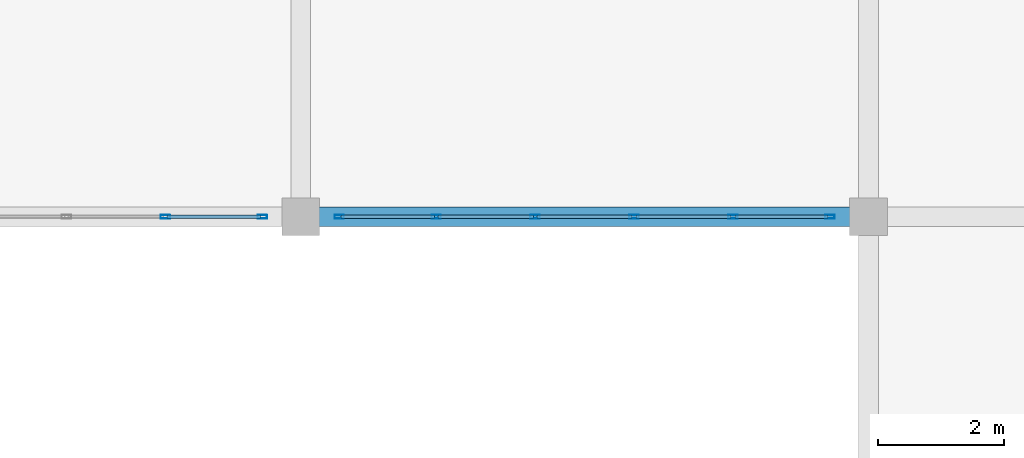
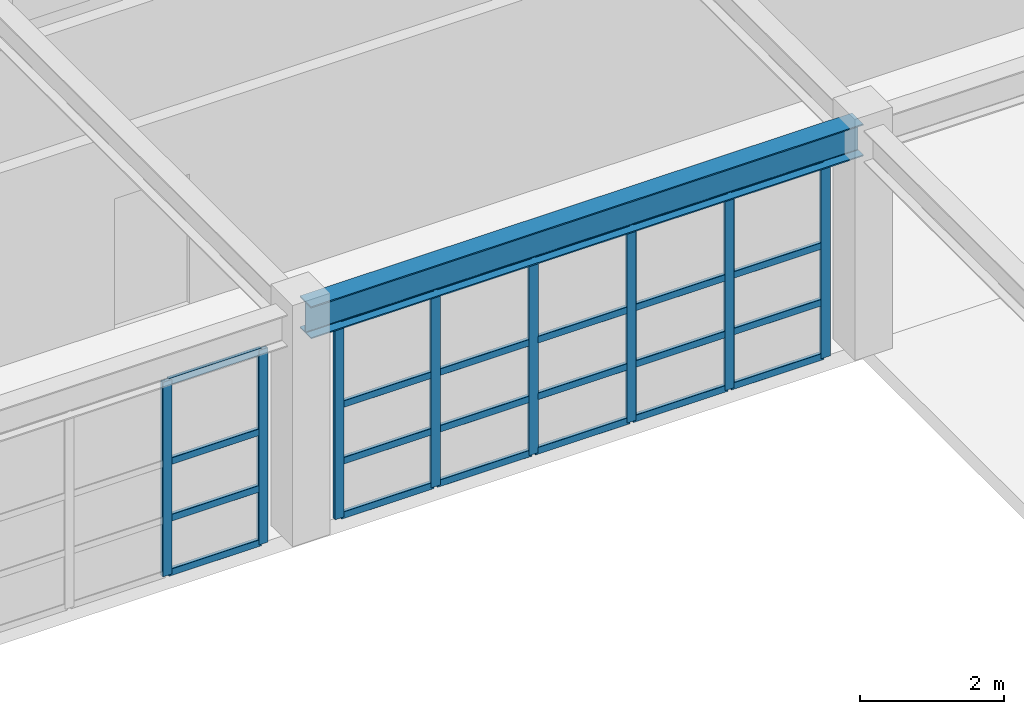
# One storey, part 78 of 130: 32 members, 1 beam, 2 elements without a shape of their own.
"""IFC4 building model written with IfcOpenShell, lengths in metres."""

from ifc_helpers import new_model, si_unit, direction, frame, origin, origin_2d, place, context, subcontext, project, spatial, hollow_rectangle, i_section, extrude, material, material_profile, profile_set, type_object, element, aggregate, save


model = new_model("IFC4")

# Units and contexts
model_context = context("Model", 3, precision=1e-05, world=origin(), true_north=direction((0.0, 1.0)))
body_context = subcontext(model_context, "Body", "Model", "MODEL_VIEW")
ifc_project = project(units=[si_unit("LENGTHUNIT", "METRE"), si_unit("AREAUNIT", "SQUARE_METRE"), si_unit("VOLUMEUNIT", "CUBIC_METRE"), si_unit("PLANEANGLEUNIT", "RADIAN"), si_unit("MASSUNIT", "GRAM", prefix="KILO")], contexts=[model_context])

# Site, building, storey
site_placement = place(None, origin())
site = spatial("IfcSite", under=ifc_project, at=site_placement, CompositionType="ELEMENT")
building_placement = place(site_placement, origin())
building = spatial("IfcBuilding", under=site, at=building_placement, Name="Miravela Opera House", CompositionType="ELEMENT")
storey_placement = place(building_placement, frame((0.0, 0.0, 9.52001953125)))
storey = spatial("IfcBuildingStorey", under=building, at=storey_placement, Name="L02", CompositionType="ELEMENT", Elevation=9.52001953125)

# Curtain wall, members
ifc_material_1 = material(Name="Anodised architectural bronze aluminium 6063-T6", Category="aluminium")
curtain_wall_type = type_object("IfcCurtainWallType", Name="ARC-CW-06", PredefinedType="NOTDEFINED", material=ifc_material_1)
curtain_wall_1_placement = place(storey_placement, origin())
curtain_wall_1 = element("IfcCurtainWall", 1, at=curtain_wall_1_placement, inside=storey, type_object=curtain_wall_type, Name="Courtyard Arcade Curtain Wall CW-L02-186", PredefinedType="NOTDEFINED")
ifc_material_profile_1 = material_profile(ifc_material_1, hollow_rectangle(XDim=0.06005859375, YDim=0.14990234375, WallThickness=0.00390625, InnerFilletRadius=0.001953125, OuterFilletRadius=0.00390625, at=origin_2d()), Name="CWM-60X150")
ifc_profile_set_1 = profile_set([ifc_material_profile_1])
member_type_1 = type_object("IfcMemberType", Name="ARC-CWM-150", PredefinedType="MULLION", material=ifc_profile_set_1)
member_1_placement = place(storey_placement, frame((132.85205078125, 28.0, 0.0), z_axis=(0.0, 0.0, 1.0), x_axis=(0.0, 1.0, 0.0)))
member_1 = element("IfcMember", 2, at=member_1_placement, type_object=member_type_1, Name="CW-06 mullion 5", PredefinedType="MULLION", context=body_context, shape_type="SweptSolid", body=[
    extrude(hollow_rectangle(XDim=0.06005859375, YDim=0.14990234375, WallThickness=0.00390625, InnerFilletRadius=0.001953125, OuterFilletRadius=0.00390625, at=origin_2d()), origin(), (0.0, 0.0, 1.0), 3.2900390625),
])
member_2_placement = place(storey_placement, frame((134.389892578125, 28.0, 0.0), z_axis=(0.0, 0.0, 1.0), x_axis=(0.0, 1.0, 0.0)))
member_2 = element("IfcMember", 3, at=member_2_placement, type_object=member_type_1, Name="CW-06 mullion 6", PredefinedType="MULLION", context=body_context, shape_type="SweptSolid", body=[
    extrude(hollow_rectangle(XDim=0.06005859375, YDim=0.14990234375, WallThickness=0.00390625, InnerFilletRadius=0.001953125, OuterFilletRadius=0.00390625, at=origin_2d()), origin(), (0.0, 0.0, 1.0), 3.2900390625),
])

curtain_wall_2_placement = place(storey_placement, origin())
curtain_wall_2 = element("IfcCurtainWall", 4, at=curtain_wall_2_placement, inside=storey, type_object=curtain_wall_type, Name="Courtyard Arcade Curtain Wall CW-L02-190", PredefinedType="NOTDEFINED")
member_3_placement = place(storey_placement, frame((135.610107421875, 28.0, 0.0), z_axis=(0.0, 0.0, 1.0), x_axis=(0.0, 1.0, 0.0)))
member_3 = element("IfcMember", 5, at=member_3_placement, type_object=member_type_1, Name="CW-06 mullion 1", PredefinedType="MULLION", context=body_context, shape_type="SweptSolid", body=[
    extrude(hollow_rectangle(XDim=0.06005859375, YDim=0.14990234375, WallThickness=0.00390625, InnerFilletRadius=0.001953125, OuterFilletRadius=0.00390625, at=origin_2d()), origin(), (0.0, 0.0, 1.0), 3.2900390625),
])
member_4_placement = place(storey_placement, frame((137.14794921875, 28.0, 0.0), z_axis=(0.0, 0.0, 1.0), x_axis=(0.0, 1.0, 0.0)))
member_4 = element("IfcMember", 6, at=member_4_placement, type_object=member_type_1, Name="CW-06 mullion 2", PredefinedType="MULLION", context=body_context, shape_type="SweptSolid", body=[
    extrude(hollow_rectangle(XDim=0.06005859375, YDim=0.14990234375, WallThickness=0.00390625, InnerFilletRadius=0.001953125, OuterFilletRadius=0.00390625, at=origin_2d()), origin(), (0.0, 0.0, 1.0), 3.2900390625),
])
member_5_placement = place(storey_placement, frame((138.716064453125, 28.0, 0.0), z_axis=(0.0, 0.0, 1.0), x_axis=(0.0, 1.0, 0.0)))
member_5 = element("IfcMember", 7, at=member_5_placement, type_object=member_type_1, Name="CW-06 mullion 3", PredefinedType="MULLION", context=body_context, shape_type="SweptSolid", body=[
    extrude(hollow_rectangle(XDim=0.06005859375, YDim=0.14990234375, WallThickness=0.00390625, InnerFilletRadius=0.001953125, OuterFilletRadius=0.00390625, at=origin_2d()), origin(), (0.0, 0.0, 1.0), 3.2900390625),
])
member_6_placement = place(storey_placement, frame((140.283935546875, 28.0, 0.0), z_axis=(0.0, 0.0, 1.0), x_axis=(0.0, 1.0, 0.0)))
member_6 = element("IfcMember", 8, at=member_6_placement, type_object=member_type_1, Name="CW-06 mullion 4", PredefinedType="MULLION", context=body_context, shape_type="SweptSolid", body=[
    extrude(hollow_rectangle(XDim=0.06005859375, YDim=0.14990234375, WallThickness=0.00390625, InnerFilletRadius=0.001953125, OuterFilletRadius=0.00390625, at=origin_2d()), origin(), (0.0, 0.0, 1.0), 3.2900390625),
])
member_7_placement = place(storey_placement, frame((141.85205078125, 28.0, 0.0), z_axis=(0.0, 0.0, 1.0), x_axis=(0.0, 1.0, 0.0)))
member_7 = element("IfcMember", 9, at=member_7_placement, type_object=member_type_1, Name="CW-06 mullion 5", PredefinedType="MULLION", context=body_context, shape_type="SweptSolid", body=[
    extrude(hollow_rectangle(XDim=0.06005859375, YDim=0.14990234375, WallThickness=0.00390625, InnerFilletRadius=0.001953125, OuterFilletRadius=0.00390625, at=origin_2d()), origin(), (0.0, 0.0, 1.0), 3.2900390625),
])
member_8_placement = place(storey_placement, frame((143.389892578125, 28.0, 0.0), z_axis=(0.0, 0.0, 1.0), x_axis=(0.0, 1.0, 0.0)))
member_8 = element("IfcMember", 10, at=member_8_placement, type_object=member_type_1, Name="CW-06 mullion 6", PredefinedType="MULLION", context=body_context, shape_type="SweptSolid", body=[
    extrude(hollow_rectangle(XDim=0.06005859375, YDim=0.14990234375, WallThickness=0.00390625, InnerFilletRadius=0.001953125, OuterFilletRadius=0.00390625, at=origin_2d()), origin(), (0.0, 0.0, 1.0), 3.2900390625),
])

# Member
ifc_material_profile_2 = material_profile(ifc_material_1, hollow_rectangle(XDim=0.06005859375, YDim=0.114990234375, WallThickness=0.00390625, InnerFilletRadius=0.001953125, OuterFilletRadius=0.00390625, at=origin_2d()), Name="CWT-60X115")
ifc_profile_set_2 = profile_set([ifc_material_profile_2])
member_type_2 = type_object("IfcMemberType", Name="ARC-CWT-115", PredefinedType="USERDEFINED", material=ifc_profile_set_2)
member_9_placement = place(storey_placement, frame((132.882080078125, 28.0, 0.030029296875), z_axis=(1.0, 0.0, 0.0), x_axis=(0.0, 1.0, 0.0)))
member_9 = element("IfcMember", 11, at=member_9_placement, type_object=member_type_2, Name="CW-06 transom 5.1", ObjectType="TRANSOM", PredefinedType="USERDEFINED", context=body_context, shape_type="SweptSolid", body=[
    extrude(hollow_rectangle(XDim=0.06005859375, YDim=0.114990234375, WallThickness=0.00390625, InnerFilletRadius=0.001953125, OuterFilletRadius=0.00390625, at=origin_2d()), origin(), (0.0, 0.0, 1.0), 1.47802734375),
])

member_10_placement = place(storey_placement, frame((132.882080078125, 28.0, 0.949951171875), z_axis=(1.0, 0.0, 0.0), x_axis=(0.0, 1.0, 0.0)))
member_10 = element("IfcMember", 12, at=member_10_placement, type_object=member_type_2, Name="CW-06 transom 5.2", ObjectType="TRANSOM", PredefinedType="USERDEFINED", context=body_context, shape_type="SweptSolid", body=[
    extrude(hollow_rectangle(XDim=0.06005859375, YDim=0.114990234375, WallThickness=0.00390625, InnerFilletRadius=0.001953125, OuterFilletRadius=0.00390625, at=origin_2d()), origin(), (0.0, 0.0, 1.0), 1.47802734375),
])

member_11_placement = place(storey_placement, frame((132.882080078125, 28.0, 1.908203125), z_axis=(1.0, 0.0, 0.0), x_axis=(0.0, 1.0, 0.0)))
member_11 = element("IfcMember", 13, at=member_11_placement, type_object=member_type_2, Name="CW-06 transom 5.3", ObjectType="TRANSOM", PredefinedType="USERDEFINED", context=body_context, shape_type="SweptSolid", body=[
    extrude(hollow_rectangle(XDim=0.06005859375, YDim=0.114990234375, WallThickness=0.00390625, InnerFilletRadius=0.001953125, OuterFilletRadius=0.00390625, at=origin_2d()), origin(), (0.0, 0.0, 1.0), 1.47802734375),
])

member_12_placement = place(storey_placement, frame((132.882080078125, 28.0, 3.260009765625), z_axis=(1.0, 0.0, 0.0), x_axis=(0.0, 1.0, 0.0)))
member_12 = element("IfcMember", 14, at=member_12_placement, type_object=member_type_2, Name="CW-06 transom 5.4", ObjectType="TRANSOM", PredefinedType="USERDEFINED", context=body_context, shape_type="SweptSolid", body=[
    extrude(hollow_rectangle(XDim=0.06005859375, YDim=0.114990234375, WallThickness=0.00390625, InnerFilletRadius=0.001953125, OuterFilletRadius=0.00390625, at=origin_2d()), origin(), (0.0, 0.0, 1.0), 1.47802734375),
])

aggregate(curtain_wall_1, [member_1, member_2, member_9, member_10, member_11, member_12])

member_13_placement = place(storey_placement, frame((135.639892578125, 28.0, 0.030029296875), z_axis=(1.0, 0.0, 0.0), x_axis=(0.0, 1.0, 0.0)))
member_13 = element("IfcMember", 15, at=member_13_placement, type_object=member_type_2, Name="CW-06 transom 1.1", ObjectType="TRANSOM", PredefinedType="USERDEFINED", context=body_context, shape_type="SweptSolid", body=[
    extrude(hollow_rectangle(XDim=0.06005859375, YDim=0.114990234375, WallThickness=0.00390625, InnerFilletRadius=0.001953125, OuterFilletRadius=0.00390625, at=origin_2d()), origin(), (0.0, 0.0, 1.0), 1.47802734375),
])

member_14_placement = place(storey_placement, frame((135.639892578125, 28.0, 0.949951171875), z_axis=(1.0, 0.0, 0.0), x_axis=(0.0, 1.0, 0.0)))
member_14 = element("IfcMember", 16, at=member_14_placement, type_object=member_type_2, Name="CW-06 transom 1.2", ObjectType="TRANSOM", PredefinedType="USERDEFINED", context=body_context, shape_type="SweptSolid", body=[
    extrude(hollow_rectangle(XDim=0.06005859375, YDim=0.114990234375, WallThickness=0.00390625, InnerFilletRadius=0.001953125, OuterFilletRadius=0.00390625, at=origin_2d()), origin(), (0.0, 0.0, 1.0), 1.47802734375),
])

member_15_placement = place(storey_placement, frame((135.639892578125, 28.0, 1.908203125), z_axis=(1.0, 0.0, 0.0), x_axis=(0.0, 1.0, 0.0)))
member_15 = element("IfcMember", 17, at=member_15_placement, type_object=member_type_2, Name="CW-06 transom 1.3", ObjectType="TRANSOM", PredefinedType="USERDEFINED", context=body_context, shape_type="SweptSolid", body=[
    extrude(hollow_rectangle(XDim=0.06005859375, YDim=0.114990234375, WallThickness=0.00390625, InnerFilletRadius=0.001953125, OuterFilletRadius=0.00390625, at=origin_2d()), origin(), (0.0, 0.0, 1.0), 1.47802734375),
])

member_16_placement = place(storey_placement, frame((135.639892578125, 28.0, 3.260009765625), z_axis=(1.0, 0.0, 0.0), x_axis=(0.0, 1.0, 0.0)))
member_16 = element("IfcMember", 18, at=member_16_placement, type_object=member_type_2, Name="CW-06 transom 1.4", ObjectType="TRANSOM", PredefinedType="USERDEFINED", context=body_context, shape_type="SweptSolid", body=[
    extrude(hollow_rectangle(XDim=0.06005859375, YDim=0.114990234375, WallThickness=0.00390625, InnerFilletRadius=0.001953125, OuterFilletRadius=0.00390625, at=origin_2d()), origin(), (0.0, 0.0, 1.0), 1.47802734375),
])

member_17_placement = place(storey_placement, frame((137.177978515625, 28.0, 0.030029296875), z_axis=(1.0, 0.0, 0.0), x_axis=(0.0, 1.0, 0.0)))
member_17 = element("IfcMember", 19, at=member_17_placement, type_object=member_type_2, Name="CW-06 transom 2.1", ObjectType="TRANSOM", PredefinedType="USERDEFINED", context=body_context, shape_type="SweptSolid", body=[
    extrude(hollow_rectangle(XDim=0.06005859375, YDim=0.114990234375, WallThickness=0.00390625, InnerFilletRadius=0.001953125, OuterFilletRadius=0.00390625, at=origin_2d()), origin(), (0.0, 0.0, 1.0), 1.508056640625),
])

member_18_placement = place(storey_placement, frame((137.177978515625, 28.0, 0.949951171875), z_axis=(1.0, 0.0, 0.0), x_axis=(0.0, 1.0, 0.0)))
member_18 = element("IfcMember", 20, at=member_18_placement, type_object=member_type_2, Name="CW-06 transom 2.2", ObjectType="TRANSOM", PredefinedType="USERDEFINED", context=body_context, shape_type="SweptSolid", body=[
    extrude(hollow_rectangle(XDim=0.06005859375, YDim=0.114990234375, WallThickness=0.00390625, InnerFilletRadius=0.001953125, OuterFilletRadius=0.00390625, at=origin_2d()), origin(), (0.0, 0.0, 1.0), 1.508056640625),
])

member_19_placement = place(storey_placement, frame((137.177978515625, 28.0, 1.908203125), z_axis=(1.0, 0.0, 0.0), x_axis=(0.0, 1.0, 0.0)))
member_19 = element("IfcMember", 21, at=member_19_placement, type_object=member_type_2, Name="CW-06 transom 2.3", ObjectType="TRANSOM", PredefinedType="USERDEFINED", context=body_context, shape_type="SweptSolid", body=[
    extrude(hollow_rectangle(XDim=0.06005859375, YDim=0.114990234375, WallThickness=0.00390625, InnerFilletRadius=0.001953125, OuterFilletRadius=0.00390625, at=origin_2d()), origin(), (0.0, 0.0, 1.0), 1.508056640625),
])

member_20_placement = place(storey_placement, frame((137.177978515625, 28.0, 3.260009765625), z_axis=(1.0, 0.0, 0.0), x_axis=(0.0, 1.0, 0.0)))
member_20 = element("IfcMember", 22, at=member_20_placement, type_object=member_type_2, Name="CW-06 transom 2.4", ObjectType="TRANSOM", PredefinedType="USERDEFINED", context=body_context, shape_type="SweptSolid", body=[
    extrude(hollow_rectangle(XDim=0.06005859375, YDim=0.114990234375, WallThickness=0.00390625, InnerFilletRadius=0.001953125, OuterFilletRadius=0.00390625, at=origin_2d()), origin(), (0.0, 0.0, 1.0), 1.508056640625),
])

member_21_placement = place(storey_placement, frame((138.74609375, 28.0, 0.030029296875), z_axis=(1.0, 0.0, 0.0), x_axis=(0.0, 1.0, 0.0)))
member_21 = element("IfcMember", 23, at=member_21_placement, type_object=member_type_2, Name="CW-06 transom 3.1", ObjectType="TRANSOM", PredefinedType="USERDEFINED", context=body_context, shape_type="SweptSolid", body=[
    extrude(hollow_rectangle(XDim=0.06005859375, YDim=0.114990234375, WallThickness=0.00390625, InnerFilletRadius=0.001953125, OuterFilletRadius=0.00390625, at=origin_2d()), origin(), (0.0, 0.0, 1.0), 1.5078125),
])

member_22_placement = place(storey_placement, frame((138.74609375, 28.0, 0.949951171875), z_axis=(1.0, 0.0, 0.0), x_axis=(0.0, 1.0, 0.0)))
member_22 = element("IfcMember", 24, at=member_22_placement, type_object=member_type_2, Name="CW-06 transom 3.2", ObjectType="TRANSOM", PredefinedType="USERDEFINED", context=body_context, shape_type="SweptSolid", body=[
    extrude(hollow_rectangle(XDim=0.06005859375, YDim=0.114990234375, WallThickness=0.00390625, InnerFilletRadius=0.001953125, OuterFilletRadius=0.00390625, at=origin_2d()), origin(), (0.0, 0.0, 1.0), 1.5078125),
])

member_23_placement = place(storey_placement, frame((138.74609375, 28.0, 1.908203125), z_axis=(1.0, 0.0, 0.0), x_axis=(0.0, 1.0, 0.0)))
member_23 = element("IfcMember", 25, at=member_23_placement, type_object=member_type_2, Name="CW-06 transom 3.3", ObjectType="TRANSOM", PredefinedType="USERDEFINED", context=body_context, shape_type="SweptSolid", body=[
    extrude(hollow_rectangle(XDim=0.06005859375, YDim=0.114990234375, WallThickness=0.00390625, InnerFilletRadius=0.001953125, OuterFilletRadius=0.00390625, at=origin_2d()), origin(), (0.0, 0.0, 1.0), 1.5078125),
])

member_24_placement = place(storey_placement, frame((138.74609375, 28.0, 3.260009765625), z_axis=(1.0, 0.0, 0.0), x_axis=(0.0, 1.0, 0.0)))
member_24 = element("IfcMember", 26, at=member_24_placement, type_object=member_type_2, Name="CW-06 transom 3.4", ObjectType="TRANSOM", PredefinedType="USERDEFINED", context=body_context, shape_type="SweptSolid", body=[
    extrude(hollow_rectangle(XDim=0.06005859375, YDim=0.114990234375, WallThickness=0.00390625, InnerFilletRadius=0.001953125, OuterFilletRadius=0.00390625, at=origin_2d()), origin(), (0.0, 0.0, 1.0), 1.5078125),
])

member_25_placement = place(storey_placement, frame((140.31396484375, 28.0, 0.030029296875), z_axis=(1.0, 0.0, 0.0), x_axis=(0.0, 1.0, 0.0)))
member_25 = element("IfcMember", 27, at=member_25_placement, type_object=member_type_2, Name="CW-06 transom 4.1", ObjectType="TRANSOM", PredefinedType="USERDEFINED", context=body_context, shape_type="SweptSolid", body=[
    extrude(hollow_rectangle(XDim=0.06005859375, YDim=0.114990234375, WallThickness=0.00390625, InnerFilletRadius=0.001953125, OuterFilletRadius=0.00390625, at=origin_2d()), origin(), (0.0, 0.0, 1.0), 1.508056640625),
])

member_26_placement = place(storey_placement, frame((140.31396484375, 28.0, 0.949951171875), z_axis=(1.0, 0.0, 0.0), x_axis=(0.0, 1.0, 0.0)))
member_26 = element("IfcMember", 28, at=member_26_placement, type_object=member_type_2, Name="CW-06 transom 4.2", ObjectType="TRANSOM", PredefinedType="USERDEFINED", context=body_context, shape_type="SweptSolid", body=[
    extrude(hollow_rectangle(XDim=0.06005859375, YDim=0.114990234375, WallThickness=0.00390625, InnerFilletRadius=0.001953125, OuterFilletRadius=0.00390625, at=origin_2d()), origin(), (0.0, 0.0, 1.0), 1.508056640625),
])

member_27_placement = place(storey_placement, frame((140.31396484375, 28.0, 1.908203125), z_axis=(1.0, 0.0, 0.0), x_axis=(0.0, 1.0, 0.0)))
member_27 = element("IfcMember", 29, at=member_27_placement, type_object=member_type_2, Name="CW-06 transom 4.3", ObjectType="TRANSOM", PredefinedType="USERDEFINED", context=body_context, shape_type="SweptSolid", body=[
    extrude(hollow_rectangle(XDim=0.06005859375, YDim=0.114990234375, WallThickness=0.00390625, InnerFilletRadius=0.001953125, OuterFilletRadius=0.00390625, at=origin_2d()), origin(), (0.0, 0.0, 1.0), 1.508056640625),
])

member_28_placement = place(storey_placement, frame((140.31396484375, 28.0, 3.260009765625), z_axis=(1.0, 0.0, 0.0), x_axis=(0.0, 1.0, 0.0)))
member_28 = element("IfcMember", 30, at=member_28_placement, type_object=member_type_2, Name="CW-06 transom 4.4", ObjectType="TRANSOM", PredefinedType="USERDEFINED", context=body_context, shape_type="SweptSolid", body=[
    extrude(hollow_rectangle(XDim=0.06005859375, YDim=0.114990234375, WallThickness=0.00390625, InnerFilletRadius=0.001953125, OuterFilletRadius=0.00390625, at=origin_2d()), origin(), (0.0, 0.0, 1.0), 1.508056640625),
])

member_29_placement = place(storey_placement, frame((141.882080078125, 28.0, 0.030029296875), z_axis=(1.0, 0.0, 0.0), x_axis=(0.0, 1.0, 0.0)))
member_29 = element("IfcMember", 31, at=member_29_placement, type_object=member_type_2, Name="CW-06 transom 5.1", ObjectType="TRANSOM", PredefinedType="USERDEFINED", context=body_context, shape_type="SweptSolid", body=[
    extrude(hollow_rectangle(XDim=0.06005859375, YDim=0.114990234375, WallThickness=0.00390625, InnerFilletRadius=0.001953125, OuterFilletRadius=0.00390625, at=origin_2d()), origin(), (0.0, 0.0, 1.0), 1.47802734375),
])

member_30_placement = place(storey_placement, frame((141.882080078125, 28.0, 0.949951171875), z_axis=(1.0, 0.0, 0.0), x_axis=(0.0, 1.0, 0.0)))
member_30 = element("IfcMember", 32, at=member_30_placement, type_object=member_type_2, Name="CW-06 transom 5.2", ObjectType="TRANSOM", PredefinedType="USERDEFINED", context=body_context, shape_type="SweptSolid", body=[
    extrude(hollow_rectangle(XDim=0.06005859375, YDim=0.114990234375, WallThickness=0.00390625, InnerFilletRadius=0.001953125, OuterFilletRadius=0.00390625, at=origin_2d()), origin(), (0.0, 0.0, 1.0), 1.47802734375),
])

member_31_placement = place(storey_placement, frame((141.882080078125, 28.0, 1.908203125), z_axis=(1.0, 0.0, 0.0), x_axis=(0.0, 1.0, 0.0)))
member_31 = element("IfcMember", 33, at=member_31_placement, type_object=member_type_2, Name="CW-06 transom 5.3", ObjectType="TRANSOM", PredefinedType="USERDEFINED", context=body_context, shape_type="SweptSolid", body=[
    extrude(hollow_rectangle(XDim=0.06005859375, YDim=0.114990234375, WallThickness=0.00390625, InnerFilletRadius=0.001953125, OuterFilletRadius=0.00390625, at=origin_2d()), origin(), (0.0, 0.0, 1.0), 1.47802734375),
])

member_32_placement = place(storey_placement, frame((141.882080078125, 28.0, 3.260009765625), z_axis=(1.0, 0.0, 0.0), x_axis=(0.0, 1.0, 0.0)))
member_32 = element("IfcMember", 34, at=member_32_placement, type_object=member_type_2, Name="CW-06 transom 5.4", ObjectType="TRANSOM", PredefinedType="USERDEFINED", context=body_context, shape_type="SweptSolid", body=[
    extrude(hollow_rectangle(XDim=0.06005859375, YDim=0.114990234375, WallThickness=0.00390625, InnerFilletRadius=0.001953125, OuterFilletRadius=0.00390625, at=origin_2d()), origin(), (0.0, 0.0, 1.0), 1.47802734375),
])

aggregate(curtain_wall_2, [member_3, member_4, member_5, member_6, member_7, member_8, member_13, member_14, member_15, member_16, member_17, member_18, member_19, member_20, member_21, member_22, member_23, member_24, member_25, member_26, member_27, member_28, member_29, member_30, member_31, member_32])

# Beam
ifc_material_2 = material(Name="Structural steel ASTM A992 Gr. 50", Category="steel")
ifc_material_profile_3 = material_profile(ifc_material_2, i_section(OverallWidth=0.31201171875, OverallDepth=0.54296875, WebThickness=0.0126953125, FlangeThickness=0.020263671875, FilletRadius=0.01611328125, at=origin_2d()), Name="W530X150")
ifc_profile_set_3 = profile_set([ifc_material_profile_3])
beam_type = type_object("IfcBeamType", Name="STR-BM-W530X150", PredefinedType="BEAM", material=ifc_profile_set_3)
beam_placement = place(storey_placement, frame((135.080078125, 28.0, 3.568359375), z_axis=(1.0, 0.0, 0.0), x_axis=(0.0, 1.0, 0.0)))
element("IfcBeam", 35, at=beam_placement, inside=storey, type_object=beam_type, Name="Roof Eave Girder ROOF-V4-NE S3", PredefinedType="BEAM", context=body_context, shape_type="SweptSolid", body=[
    extrude(i_section(OverallWidth=0.31201171875, OverallDepth=0.54296875, WebThickness=0.0126953125, FlangeThickness=0.020263671875, FilletRadius=0.01611328125, at=origin_2d()), origin(), (0.0, 0.0, 1.0), 8.83984375),
])

save(model, "model.ifc")
